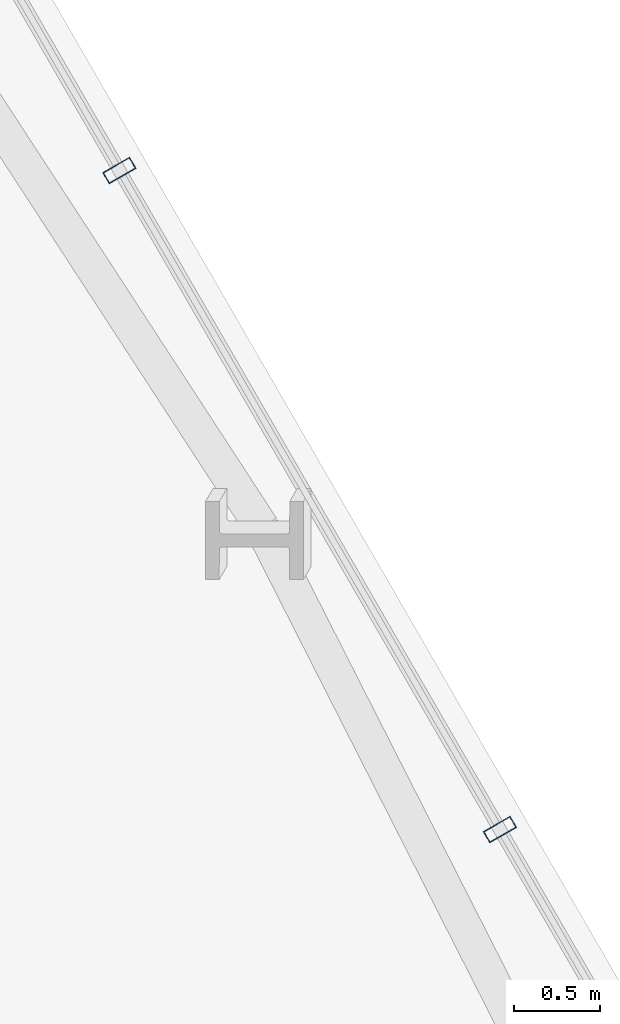
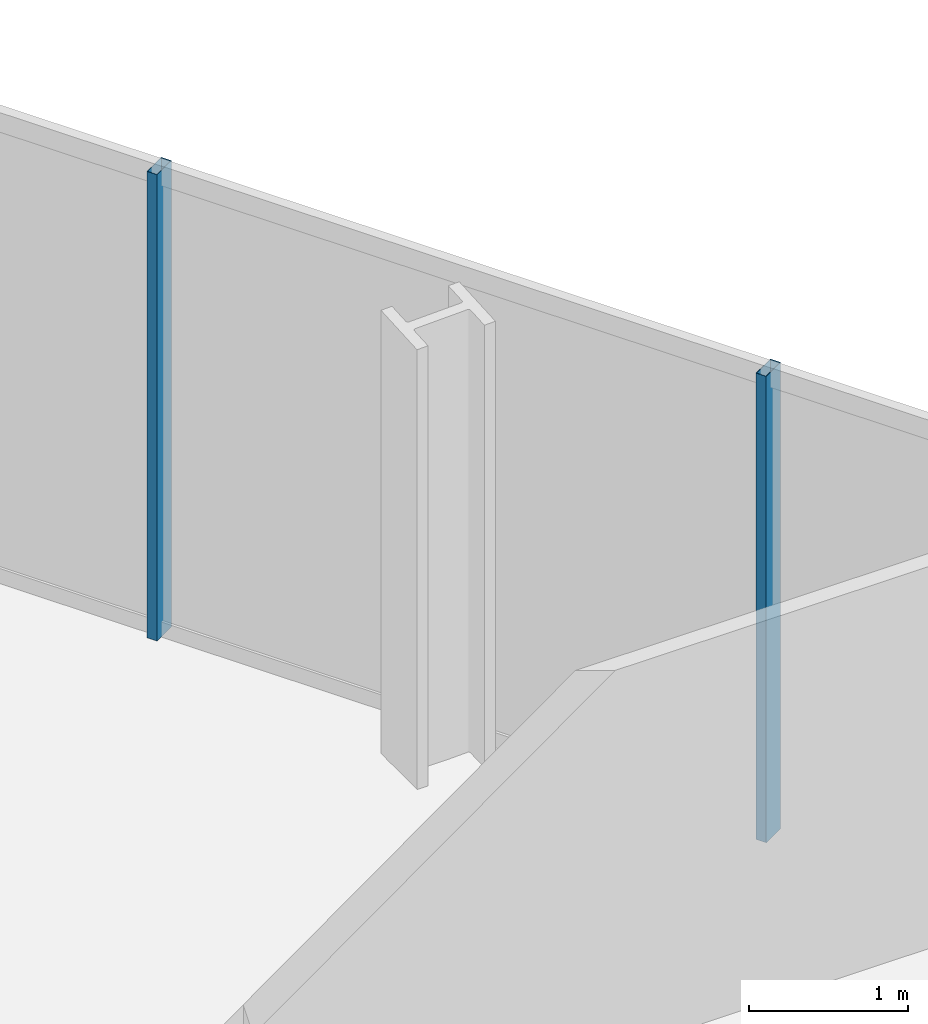
# One storey, part 19 of 32: 2 members, 1 element without a shape of its own.
"""IFC4 building model written with IfcOpenShell, lengths in metres."""

from ifc_helpers import new_model, si_unit, direction, frame, origin, origin_2d, place, context, subcontext, project, spatial, hollow_rectangle, extrude, material, layer, layer_set, material_profile, profile_set, type_object, element, aggregate, save


model = new_model("IFC4")

# Units and contexts
model_context = context("Model", 3, precision=1e-05, world=origin(), true_north=direction((0.0, 1.0)))
body_context = subcontext(model_context, "Body", "Model", "MODEL_VIEW")
ifc_project = project(units=[si_unit("LENGTHUNIT", "METRE"), si_unit("AREAUNIT", "SQUARE_METRE"), si_unit("VOLUMEUNIT", "CUBIC_METRE"), si_unit("PLANEANGLEUNIT", "RADIAN"), si_unit("MASSUNIT", "GRAM", prefix="KILO")], contexts=[model_context])

# Site, building, storey
site_placement = place(None, origin())
site = spatial("IfcSite", under=ifc_project, at=site_placement, CompositionType="ELEMENT")
building_placement = place(site_placement, origin())
building = spatial("IfcBuilding", under=site, at=building_placement, Name="Ndaravel Arena Tower", CompositionType="ELEMENT")
storey_placement = place(building_placement, frame((0.0, 0.0, 55.0)))
storey = spatial("IfcBuildingStorey", under=building, at=storey_placement, Name="L11", CompositionType="ELEMENT", Elevation=55.0)

# Curtain wall, members
ifc_material_1 = material(Name="Aluminium", Category="aluminium")
ifc_layer = layer(ifc_material_1, 0.179931640625)
ifc_layer_set = layer_set([ifc_layer], Name="Aluminium")
curtain_wall_type = type_object("IfcCurtainWallType", Name="CW-SYS-03", PredefinedType="NOTDEFINED", material=ifc_layer_set)
curtain_wall_placement = place(storey_placement, origin())
curtain_wall = element("IfcCurtainWall", 1, at=curtain_wall_placement, inside=storey, type_object=curtain_wall_type, Name="L11 Faceted Crystal Curtain Wall CW-L11-E03", PredefinedType="NOTDEFINED")
ifc_material_2 = material(Name="Aluminium", Category="aluminium")
ifc_material_profile = material_profile(ifc_material_2, hollow_rectangle(XDim=0.074951171875, YDim=0.179931640625, WallThickness=0.00390625, at=origin_2d()), Name="CW MULLION 75x180x4")
ifc_profile_set = profile_set([ifc_material_profile], Name="Aluminium")
member_type = type_object("IfcMemberType", Name="MEM-CW-MUL180", PredefinedType="MULLION", material=ifc_profile_set)
member_1_placement = place(storey_placement, frame((58.85888671875, 30.5302734375, 0.0), z_axis=(0.0, 0.0, 1.0), x_axis=(-0.5, 0.866025403784, 0.0)))
member_1 = element("IfcMember", 2, at=member_1_placement, type_object=member_type, Name="CW-L11-E03 Mullion 03", PredefinedType="MULLION", context=body_context, shape_type="SweptSolid", body=[
    extrude(hollow_rectangle(XDim=0.074951171875, YDim=0.179931640625, WallThickness=0.00390625, at=origin_2d()), origin(), (0.0, 0.0, 1.0), 3.580078125),
])
member_2_placement = place(storey_placement, frame((56.6474609375, 34.360595703125, 0.0), z_axis=(0.0, 0.0, 1.0), x_axis=(-0.5, 0.866025403784, 0.0)))
member_2 = element("IfcMember", 3, at=member_2_placement, type_object=member_type, Name="CW-L11-E03 Mullion 04", PredefinedType="MULLION", context=body_context, shape_type="SweptSolid", body=[
    extrude(hollow_rectangle(XDim=0.074951171875, YDim=0.179931640625, WallThickness=0.00390625, at=origin_2d()), origin(), (0.0, 0.0, 1.0), 3.580078125),
])
aggregate(curtain_wall, [member_1, member_2])

save(model, "model.ifc")
